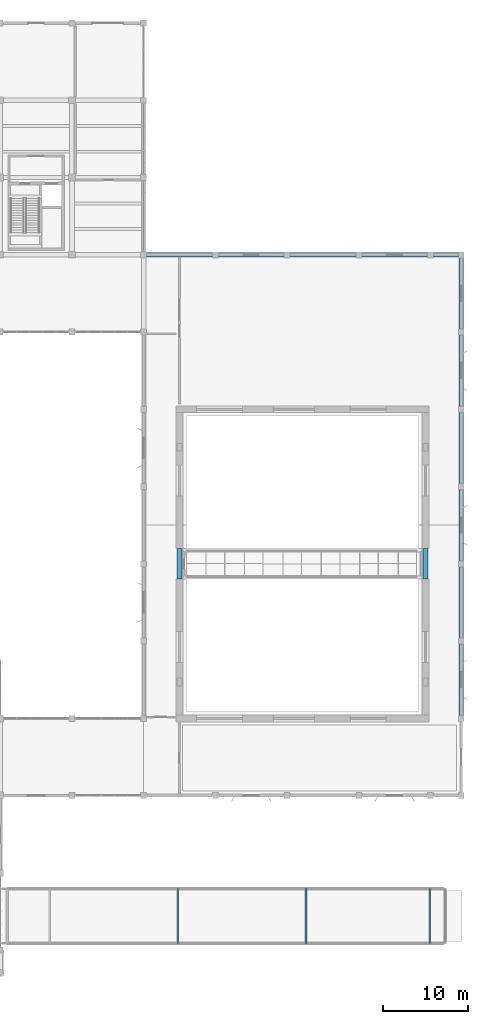
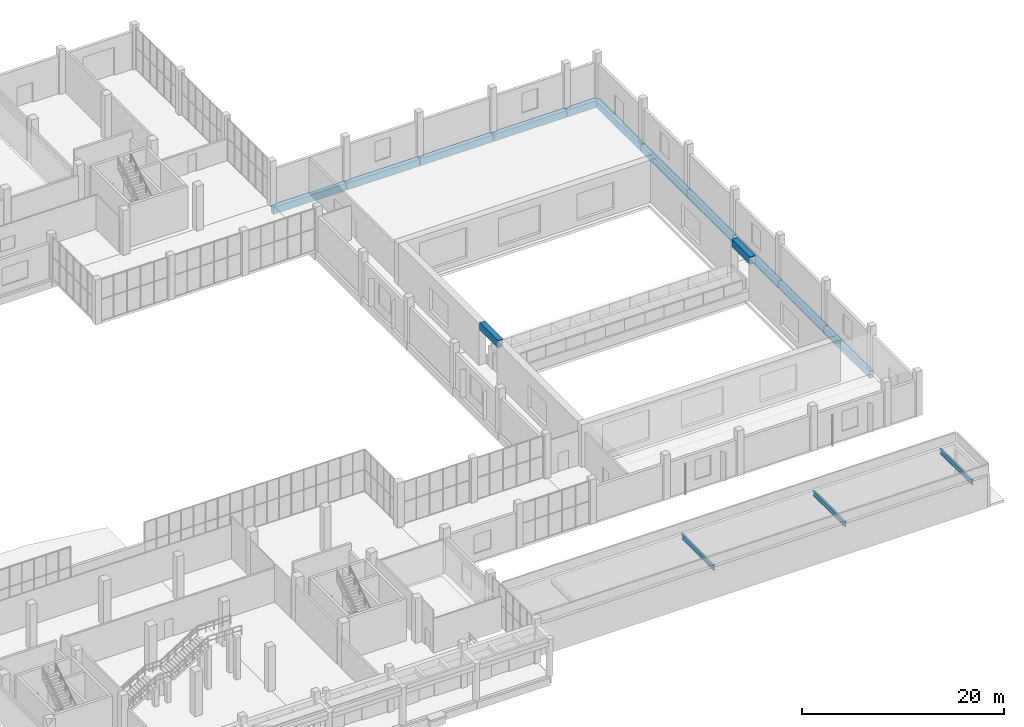
# One storey, part 61 of 91: 16 beams.
"""IFC4 building model written with IfcOpenShell, lengths in metres."""

from ifc_helpers import new_model, si_unit, direction, frame, origin, origin_2d, place, context, subcontext, project, spatial, rectangle, i_section, extrude, material, material_profile, profile_set, type_object, element, save


model = new_model("IFC4")

# Units and contexts
model_context = context("Model", 3, precision=1e-05, world=origin(), true_north=direction((0.0, 1.0)))
body_context = subcontext(model_context, "Body", "Model", "MODEL_VIEW")
ifc_project = project(units=[si_unit("LENGTHUNIT", "METRE"), si_unit("AREAUNIT", "SQUARE_METRE"), si_unit("VOLUMEUNIT", "CUBIC_METRE"), si_unit("PLANEANGLEUNIT", "RADIAN"), si_unit("MASSUNIT", "GRAM", prefix="KILO")], contexts=[model_context])

# Site, building, storey
site_placement = place(None, origin())
site = spatial("IfcSite", under=ifc_project, at=site_placement, CompositionType="ELEMENT")
building_placement = place(site_placement, origin())
building = spatial("IfcBuilding", under=site, at=building_placement, Name="Khurvash Pelagic Aquarium", CompositionType="ELEMENT")
storey_placement = place(building_placement, origin())
storey = spatial("IfcBuildingStorey", under=building, at=storey_placement, Name="L00", CompositionType="ELEMENT", Elevation=0.0)

# Beams
ifc_material_1 = material(Name="Steel ASTM A992 Grade 50", Category="steel")
ifc_material_profile_1 = material_profile(ifc_material_1, i_section(OverallWidth=0.214111328125, OverallDepth=0.549072265625, WebThickness=0.0146484375, FlangeThickness=0.023681640625, at=origin_2d()), Name="W21X93")
ifc_profile_set_1 = profile_set([ifc_material_profile_1], Name="Steel ASTM A992 Grade 50")
beam_type_1 = type_object("IfcBeamType", Name="BM-11", PredefinedType="BEAM", material=ifc_profile_set_1)
for number, where, z_axis, x_axis, name in (
    (1, (130.0, 3.3798828125, 3.52490234375), (0.0, 1.0, 0.0), (-1.0, 0.0, 0.0), "L00 Ramp Hood Roof Beam BM-11"),
    (2, (145.0, 3.3798828125, 3.52490234375), (0.0, 1.0, 0.0), (-1.0, 0.0, 0.0), "L00 Ramp Hood Roof Beam BM-11"),
    (3, (159.5, 3.3798828125, 3.52490234375), (0.0, 1.0, 0.0), (-1.0, 0.0, 0.0), "L00 Ramp Hood Roof Beam BM-11"),
):
    element("IfcBeam", number, at=place(storey_placement, frame(where, z_axis=z_axis, x_axis=x_axis)), inside=storey, type_object=beam_type_1, Name=name, PredefinedType="BEAM", context=body_context, shape_type="SweptSolid", body=[
        extrude(i_section(OverallWidth=0.214111328125, OverallDepth=0.549072265625, WebThickness=0.0146484375, FlangeThickness=0.023681640625, at=origin_2d()), origin(), (0.0, 0.0, 1.0), 6.440185546875),
    ])
ifc_material_2 = material(Name="Water-retaining concrete C40/50", Category="concrete")
ifc_material_profile_2 = material_profile(ifc_material_2, rectangle(XDim=0.60009765625, YDim=0.89990234375, at=origin_2d()), Name="RC600X900")
ifc_profile_set_2 = profile_set([ifc_material_profile_2], Name="Water-retaining concrete C40/50")
beam_type_2 = type_object("IfcBeamType", Name="LN-01", PredefinedType="LINTEL", material=ifc_profile_set_2)
for number, where, z_axis, x_axis, name in (
    (4, (130.199951171875, 46.050048828125, 4.68994140625), (0.0, 1.0, 0.0), (-1.0, 0.0, 0.0), "L00 Ocean Tank West Tunnel Portal Lintel Beam LN-01"),
    (5, (159.0, 46.050048828125, 4.68994140625), (0.0, 1.0, 0.0), (-1.0, 0.0, 0.0), "L00 Ocean Tank East Tunnel Portal Lintel Beam LN-01"),
):
    element("IfcBeam", number, at=place(storey_placement, frame(where, z_axis=z_axis, x_axis=x_axis)), inside=storey, type_object=beam_type_2, Name=name, PredefinedType="LINTEL", context=body_context, shape_type="SweptSolid", body=[
        extrude(rectangle(XDim=0.60009765625, YDim=0.89990234375, at=origin_2d()), origin(), (0.0, 0.0, 1.0), 3.599853515625),
    ])
ifc_material_3 = material(Name="Concrete C40/50", Category="concrete")
ifc_material_profile_3 = material_profile(ifc_material_3, rectangle(XDim=0.5, YDim=0.85009765625, at=origin_2d()), Name="RC500X850")
ifc_profile_set_3 = profile_set([ifc_material_profile_3], Name="Concrete C40/50")
beam_type_3 = type_object("IfcBeamType", Name="SEB-03", PredefinedType="SPANDREL", material=ifc_profile_set_3)
for number, where, z_axis, x_axis, name in (
    (6, (126.0400390625, 84.050048828125, -0.7451171875), (1.0, 0.0, 0.0), (0.0, 1.0, 0.0), "L00 Primary Girder SEB-03 00058"),
    (7, (134.43994140625, 84.050048828125, -0.7451171875), (1.0, 0.0, 0.0), (0.0, 1.0, 0.0), "L00 Primary Girder SEB-03 00059"),
):
    element("IfcBeam", number, at=place(storey_placement, frame(where, z_axis=z_axis, x_axis=x_axis)), inside=storey, type_object=beam_type_3, Name=name, PredefinedType="SPANDREL", context=body_context, shape_type="SweptSolid", body=[
        extrude(rectangle(XDim=0.5, YDim=0.85009765625, at=origin_2d()), origin(), (0.0, 0.0, 1.0), 8.320068359375),
    ])
beam_1_placement = place(storey_placement, frame((142.840087890625, 84.050048828125, -0.7451171875), z_axis=(1.0, 0.0, 0.0), x_axis=(0.0, 1.0, 0.0)))
element("IfcBeam", 8, at=beam_1_placement, inside=storey, type_object=beam_type_3, Name="L00 Primary Girder SEB-03 00060", PredefinedType="SPANDREL", context=body_context, shape_type="SweptSolid", body=[
    extrude(rectangle(XDim=0.5, YDim=0.85009765625, at=origin_2d()), origin(), (0.0, 0.0, 1.0), 8.31982421875),
])
beam_2_placement = place(storey_placement, frame((151.239990234375, 84.050048828125, -0.7451171875), z_axis=(1.0, 0.0, 0.0), x_axis=(0.0, 1.0, 0.0)))
element("IfcBeam", 9, at=beam_2_placement, inside=storey, type_object=beam_type_3, Name="L00 Primary Girder SEB-03 00061", PredefinedType="SPANDREL", context=body_context, shape_type="SweptSolid", body=[
    extrude(rectangle(XDim=0.5, YDim=0.85009765625, at=origin_2d()), origin(), (0.0, 0.0, 1.0), 8.320068359375),
])
beam_3_placement = place(storey_placement, frame((159.639892578125, 84.050048828125, -0.7451171875), z_axis=(1.0, 0.0, 0.0), x_axis=(0.0, 1.0, 0.0)))
element("IfcBeam", 10, at=beam_3_placement, inside=storey, type_object=beam_type_3, Name="L00 Primary Girder SEB-03 00062", PredefinedType="SPANDREL", context=body_context, shape_type="SweptSolid", body=[
    extrude(rectangle(XDim=0.5, YDim=0.85009765625, at=origin_2d()), origin(), (0.0, 0.0, 1.0), 3.52001953125),
])
for number, where, z_axis, x_axis, name in (
    (11, (163.199951171875, 29.7900390625, -0.7451171875), (0.0, 1.0, 0.0), (-1.0, 0.0, 0.0), "L00 Primary Girder SEB-03 00145"),
    (12, (163.199951171875, 38.840087890625, -0.7451171875), (0.0, 1.0, 0.0), (-1.0, 0.0, 0.0), "L00 Primary Girder SEB-03 00146"),
):
    element("IfcBeam", number, at=place(storey_placement, frame(where, z_axis=z_axis, x_axis=x_axis)), inside=storey, type_object=beam_type_3, Name=name, PredefinedType="SPANDREL", context=body_context, shape_type="SweptSolid", body=[
        extrude(rectangle(XDim=0.5, YDim=0.85009765625, at=origin_2d()), origin(), (0.0, 0.0, 1.0), 8.969970703125),
    ])
beam_4_placement = place(storey_placement, frame((163.199951171875, 47.889892578125, -0.7451171875), z_axis=(0.0, 1.0, 0.0), x_axis=(-1.0, 0.0, 0.0)))
element("IfcBeam", 13, at=beam_4_placement, inside=storey, type_object=beam_type_3, Name="L00 Primary Girder SEB-03 00147", PredefinedType="SPANDREL", context=body_context, shape_type="SweptSolid", body=[
    extrude(rectangle(XDim=0.5, YDim=0.85009765625, at=origin_2d()), origin(), (0.0, 0.0, 1.0), 8.97021484375),
])
for number, where, z_axis, x_axis, name in (
    (14, (163.199951171875, 56.93994140625, -0.7451171875), (0.0, 1.0, 0.0), (-1.0, 0.0, 0.0), "L00 Primary Girder SEB-03 00148"),
    (15, (163.199951171875, 65.989990234375, -0.7451171875), (0.0, 1.0, 0.0), (-1.0, 0.0, 0.0), "L00 Primary Girder SEB-03 00149"),
    (16, (163.199951171875, 75.0400390625, -0.7451171875), (0.0, 1.0, 0.0), (-1.0, 0.0, 0.0), "L00 Primary Girder SEB-03 00150"),
):
    element("IfcBeam", number, at=place(storey_placement, frame(where, z_axis=z_axis, x_axis=x_axis)), inside=storey, type_object=beam_type_3, Name=name, PredefinedType="SPANDREL", context=body_context, shape_type="SweptSolid", body=[
        extrude(rectangle(XDim=0.5, YDim=0.85009765625, at=origin_2d()), origin(), (0.0, 0.0, 1.0), 8.969970703125),
    ])

save(model, "model.ifc")
